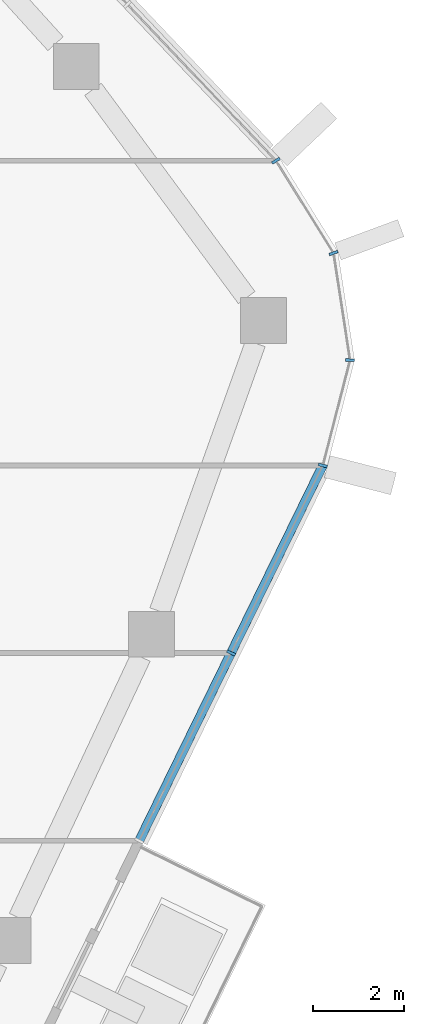
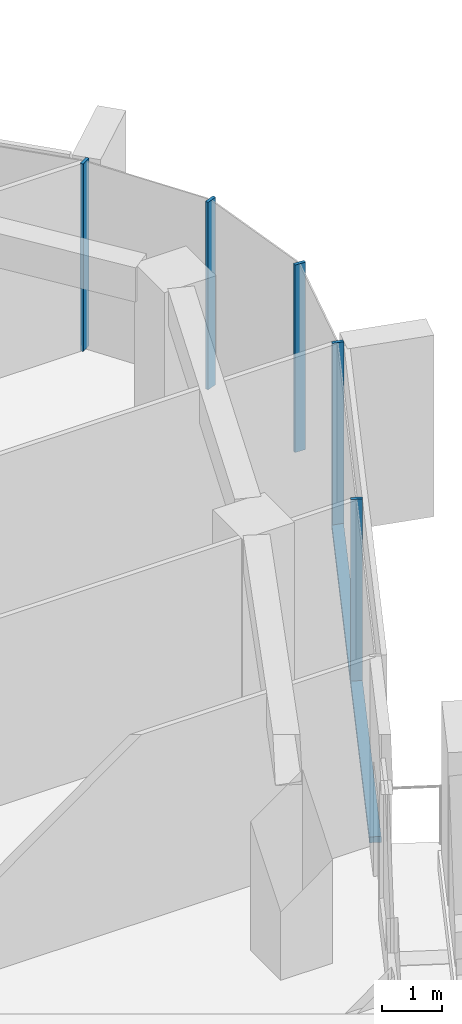
# One storey, part 10 of 23: 6 members, 2 elements without a shape of their own.
"""IFC4 building model written with IfcOpenShell, lengths in metres."""

from ifc_helpers import new_model, si_unit, direction, frame, origin, origin_2d, place, context, subcontext, project, spatial, rectangle, extrude, material, layer, layer_set, material_profile, profile_set, type_object, element, aggregate, save


model = new_model("IFC4")

# Units and contexts
model_context = context("Model", 3, precision=1e-05, world=origin(), true_north=direction((0.0, 1.0)))
body_context = subcontext(model_context, "Body", "Model", "MODEL_VIEW")
ifc_project = project(units=[si_unit("LENGTHUNIT", "METRE"), si_unit("AREAUNIT", "SQUARE_METRE"), si_unit("VOLUMEUNIT", "CUBIC_METRE"), si_unit("PLANEANGLEUNIT", "RADIAN"), si_unit("MASSUNIT", "GRAM", prefix="KILO")], contexts=[model_context])

# Site, building, storey
site_placement = place(None, origin())
site = spatial("IfcSite", under=ifc_project, at=site_placement, CompositionType="ELEMENT")
building_placement = place(site_placement, origin())
building = spatial("IfcBuilding", under=site, at=building_placement, Name="Dongbaek Canopy Tower", CompositionType="ELEMENT")
storey_placement = place(building_placement, frame((0.0, 0.0, 340.39990234375)))
storey = spatial("IfcBuildingStorey", under=building, at=storey_placement, Name="L73", CompositionType="ELEMENT", Elevation=340.39990234375)

# Curtain wall, members
ifc_material_1 = material(Name="Aluminium 6063-T6 pale anodised", Category="aluminium")
ifc_layer = layer(ifc_material_1, 0.199951171875)
ifc_layer_set = layer_set([ifc_layer], Name="CW-1 unitised tower curtain wall")
curtain_wall_type = type_object("IfcCurtainWallType", Name="CW-1 unitised tower curtain wall", PredefinedType="NOTDEFINED", material=ifc_layer_set)
curtain_wall_1_placement = place(storey_placement, origin())
curtain_wall_1 = element("IfcCurtainWall", 1, at=curtain_wall_1_placement, inside=storey, type_object=curtain_wall_type, Name="CW-1 curtain wall K0.1", PredefinedType="NOTDEFINED")
ifc_material_2 = material(Name="Aluminium 6063-T6 pale anodised", Category="aluminium")
ifc_material_profile_1 = material_profile(ifc_material_2, rectangle(XDim=0.199951171875, YDim=0.06005859375, at=origin_2d()), Name="CW-1 mullion 60 x 200")
ifc_profile_set_1 = profile_set([ifc_material_profile_1], Name="Aluminium 6063-T6 pale anodised")
member_type_1 = type_object("IfcMemberType", Name="CW-1 mullion 60 x 200", PredefinedType="MULLION", material=ifc_profile_set_1)
member_1_placement = place(storey_placement, frame((32.101806640625, 3.521728515625, 0.0), z_axis=(0.0, 0.0, 1.0), x_axis=(0.96831359198, -0.249737437294, 0.0)))
member_1 = element("IfcMember", 2, at=member_1_placement, type_object=member_type_1, Name="CW-1 mullion K0.1.1", PredefinedType="MULLION", context=body_context, shape_type="SweptSolid", body=[
    extrude(rectangle(XDim=0.199951171875, YDim=0.06005859375, at=origin_2d()), origin(), (0.0, 0.0, 1.0), 3.820068359375),
])
member_2_placement = place(storey_placement, frame((32.69677734375, 5.828369140625, 0.0), z_axis=(0.0, 0.0, 1.0), x_axis=(0.998752390413, -0.049936586234, 0.0)))
member_2 = element("IfcMember", 3, at=member_2_placement, type_object=member_type_1, Name="CW-1 mullion K0.1.2", PredefinedType="MULLION", context=body_context, shape_type="SweptSolid", body=[
    extrude(rectangle(XDim=0.199951171875, YDim=0.06005859375, at=origin_2d()), origin(), (0.0, 0.0, 1.0), 3.820068359375),
])
member_3_placement = place(storey_placement, frame((32.33642578125, 8.1728515625, 0.0), z_axis=(0.0, 0.0, 1.0), x_axis=(0.937665225742, 0.347539817049, 0.0)))
member_3 = element("IfcMember", 4, at=member_3_placement, type_object=member_type_1, Name="CW-1 mullion K0.1.3", PredefinedType="MULLION", context=body_context, shape_type="SweptSolid", body=[
    extrude(rectangle(XDim=0.199951171875, YDim=0.06005859375, at=origin_2d()), origin(), (0.0, 0.0, 1.0), 3.820068359375),
])
member_4_placement = place(storey_placement, frame((31.076416015625, 10.1943359375, 0.0), z_axis=(0.0, 0.0, 1.0), x_axis=(0.848634483978, 0.528979690161, 0.0)))
member_4 = element("IfcMember", 5, at=member_4_placement, type_object=member_type_1, Name="CW-1 mullion K0.1.4", PredefinedType="MULLION", context=body_context, shape_type="SweptSolid", body=[
    extrude(rectangle(XDim=0.199951171875, YDim=0.06005859375, at=origin_2d()), origin(), (0.0, 0.0, 1.0), 3.820068359375),
])
aggregate(curtain_wall_1, [member_1, member_2, member_3, member_4])

curtain_wall_2_placement = place(storey_placement, origin())
curtain_wall_2 = element("IfcCurtainWall", 6, at=curtain_wall_2_placement, inside=storey, type_object=curtain_wall_type, Name="CW-1 curtain wall F5.1", PredefinedType="NOTDEFINED")
member_5_placement = place(storey_placement, frame((30.094482421875, -0.582763671875, 0.1201171875), z_axis=(0.0, 0.0, 1.0), x_axis=(0.89832218457, -0.439337288093, 0.0)))
member_5 = element("IfcMember", 7, at=member_5_placement, type_object=member_type_1, Name="CW-1 mullion F5.1.2", PredefinedType="MULLION", context=body_context, shape_type="SweptSolid", body=[
    extrude(rectangle(XDim=0.199951171875, YDim=0.06005859375, at=origin_2d()), origin(), (0.0, 0.0, 1.0), 3.699951171875),
])
ifc_material_3 = material(Name="Aluminium 6063-T6 pale anodised", Category="aluminium")
ifc_material_profile_2 = material_profile(ifc_material_3, rectangle(XDim=0.199951171875, YDim=0.1201171875, at=origin_2d()), Name="CW-1 transom 120 x 200")
ifc_profile_set_2 = profile_set([ifc_material_profile_2], Name="Aluminium 6063-T6 pale anodised")
member_type_2 = type_object("IfcMemberType", Name="CW-1 transom 120 x 200", PredefinedType="USERDEFINED", material=ifc_profile_set_2)
member_6_placement = place(storey_placement, frame((28.08251953125, -4.6962890625, 0.06005859375), z_axis=(0.439350369749, 0.898315786681, 0.0), x_axis=(-0.898315786681, 0.439350369749, 0.0)))
member_6 = element("IfcMember", 8, at=member_6_placement, type_object=member_type_2, Name="CW-1 transom F5.1.1", ObjectType="TRANSOM", PredefinedType="USERDEFINED", context=body_context, shape_type="SweptSolid", body=[
    extrude(rectangle(XDim=0.199951171875, YDim=0.1201171875, at=origin_2d()), origin(), (0.0, 0.0, 1.0), 9.148193359375),
])
aggregate(curtain_wall_2, [member_5, member_6])

save(model, "model.ifc")
